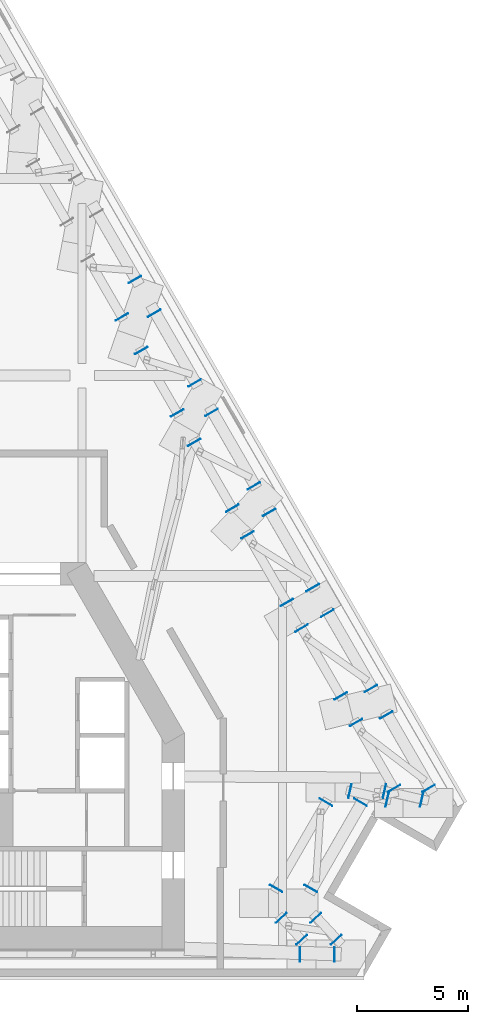
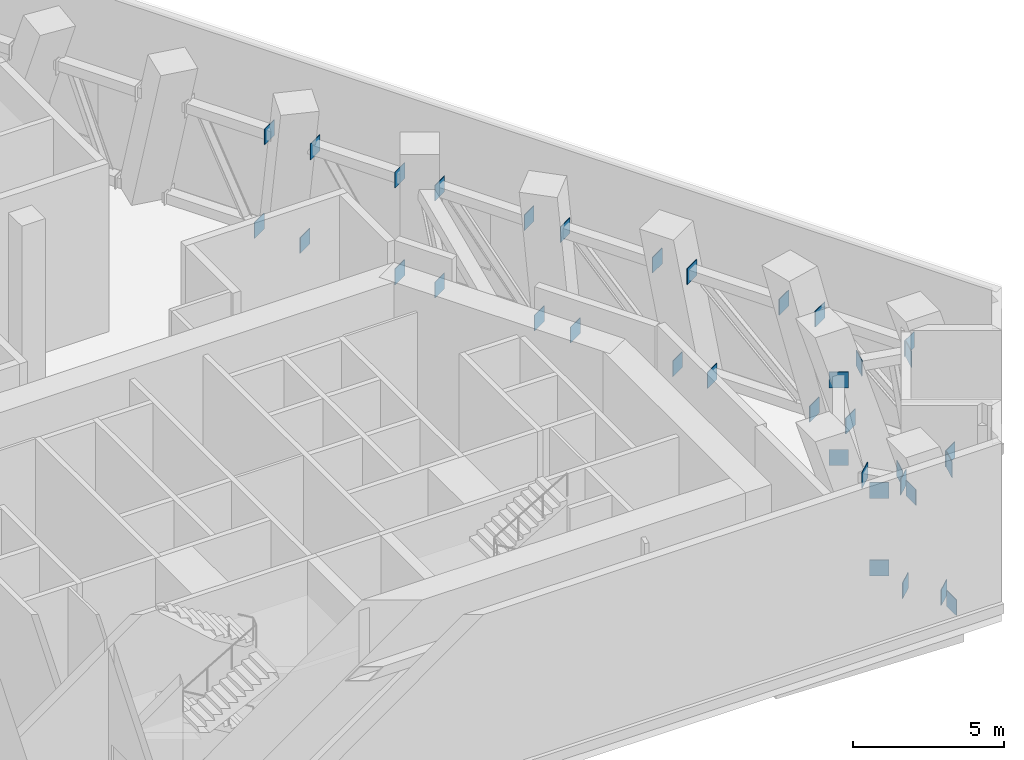
# One storey, part 11 of 13: 36 discrete accessories.
"""IFC4 building model written with IfcOpenShell, lengths in metres."""

import ifcopenshell
import ifcopenshell.guid

model = None  # the IFC model being written
_history = None  # IfcOwnerHistory: only IFC2X3 demands one
_inside = {}  # id of a spatial element -> (the spatial element, [elements in it])
_under = {}  # id of a project, library or spatial element -> (it, [spatial elements below it])
_declared = {}  # id of a project -> (the project, [libraries it declares])
_typed = {}  # id of a type object -> (the type object, [elements of that type])
_made_of = {}  # id of a material, layer set ... -> (it, [elements and type objects made of it])


def new_model(schema):
    """Start an empty IFC model of exactly this schema.

    Asked for "IFC4X3", IfcOpenShell would pick the latest addendum, in which some entities
    have other attributes; the version numbers below select the first issue.
    IFC2X3 requires an IfcOwnerHistory on every rooted entity: one is made here for all.
    """
    global model, _history
    if schema == "IFC4X3":
        model = ifcopenshell.file(schema_version=(4, 3, 0, 0))
    else:
        model = ifcopenshell.file(schema=schema)
    _inside.clear()
    _under.clear()
    _declared.clear()
    _typed.clear()
    _made_of.clear()
    _history = None
    if model.schema == "IFC2X3":
        org = make("IfcOrganization", Name="unknown")
        user = make(
            "IfcPersonAndOrganization",
            ThePerson=make("IfcPerson", FamilyName="unknown"),
            TheOrganization=org,
        )
        app = make(
            "IfcApplication",
            ApplicationDeveloper=org,
            Version="unknown",
            ApplicationFullName="unknown",
            ApplicationIdentifier="unknown",
        )
        _history = make(
            "IfcOwnerHistory",
            OwningUser=user,
            OwningApplication=app,
            ChangeAction="ADDED",
            CreationDate=0,
        )
    return model


def make(cls, **values):
    """One entity of the class cls with the attributes given. An attribute that is None is left unset."""
    return model.create_entity(
        cls, **{name: value for name, value in values.items() if value is not None}
    )


def rooted(cls, **values):
    """An entity with a GlobalId (a new one), such as an element, a storey or a relation."""
    return make(cls, GlobalId=ifcopenshell.guid.new(), OwnerHistory=_history, **values)


def si_unit(unit_type, name, prefix=None):
    """IfcSIUnit, for example si_unit("LENGTHUNIT", "METRE", prefix="MILLI")."""
    return make("IfcSIUnit", UnitType=unit_type, Prefix=prefix, Name=name)


def assignment(units):
    """IfcUnitAssignment: the units of a project."""
    return None if units is None else make("IfcUnitAssignment", Units=units)


def point(xyz):
    """IfcCartesianPoint."""
    return None if xyz is None else make("IfcCartesianPoint", Coordinates=xyz)


def direction(xyz):
    """IfcDirection."""
    return None if xyz is None else make("IfcDirection", DirectionRatios=xyz)


def frame(location, z_axis=None, x_axis=None):
    """IfcAxis2Placement3D, a coordinate frame: its origin and axes. An axis left out is left unset."""
    return make(
        "IfcAxis2Placement3D",
        Location=point(location),
        Axis=direction(z_axis),
        RefDirection=direction(x_axis),
    )


def frame_2d(location, x_axis=None):
    """IfcAxis2Placement2D, a coordinate frame in the plane: its origin and x axis."""
    return make(
        "IfcAxis2Placement2D", Location=point(location), RefDirection=direction(x_axis)
    )


def origin():
    """The frame at (0, 0, 0) with its axes left unset."""
    return frame((0.0, 0.0, 0.0))


def origin_2d():
    """The frame at (0, 0) in the plane with its x axis left unset."""
    return frame_2d((0.0, 0.0))


def place(relative_to, where):
    """IfcLocalPlacement: puts the frame where relative to a parent placement (None: the world)."""
    return make(
        "IfcLocalPlacement", PlacementRelTo=relative_to, RelativePlacement=where
    )


def context(
    kind, dimensions, precision=None, world=None, true_north=None, identifier=None
):
    """IfcGeometricRepresentationContext, for example the 3D "Model" context."""
    return make(
        "IfcGeometricRepresentationContext",
        ContextIdentifier=identifier,
        ContextType=kind,
        CoordinateSpaceDimension=dimensions,
        Precision=precision,
        WorldCoordinateSystem=world,
        TrueNorth=true_north,
    )


def subcontext(parent, identifier, kind, view, scale=None):
    """IfcGeometricRepresentationSubContext, for example "Body" below "Model"."""
    return make(
        "IfcGeometricRepresentationSubContext",
        ContextIdentifier=identifier,
        ContextType=kind,
        ParentContext=parent,
        TargetScale=scale,
        TargetView=view,
    )


def project(units=None, contexts=None):
    """IfcProject with its units and contexts."""
    return rooted(
        "IfcProject",
        Name="project",
        RepresentationContexts=contexts,
        UnitsInContext=assignment(units),
    )


def spatial(cls, under=None, at=None, **own):
    """A site, building, storey or space (cls), placed at a placement, below another one or the project."""
    s = rooted(cls, ObjectPlacement=at, **own)
    if under is not None:
        _under.setdefault(under.id(), (under, []))[1].append(s)
    return s


def profile(cls, at=None, kind="AREA", **sizes):
    """A parametric profile (cls). Its sizes go by their IFC names, for example OverallWidth=200.0."""
    return make(cls, ProfileType=kind, Position=at, **sizes)


def rectangle(**sizes):
    """IfcRectangleProfileDef."""
    return profile("IfcRectangleProfileDef", **sizes)


def extrude(swept, where, along, depth):
    """IfcExtrudedAreaSolid: the profile swept, set in the frame where, extruded along a direction by depth."""
    return make(
        "IfcExtrudedAreaSolid",
        SweptArea=swept,
        Position=where,
        ExtrudedDirection=direction(along),
        Depth=depth,
    )


def shape(context_of_items, identifier, shape_type, items):
    """IfcShapeRepresentation: the items that make up one representation, for example the "Body"."""
    return make(
        "IfcShapeRepresentation",
        ContextOfItems=context_of_items,
        RepresentationIdentifier=identifier,
        RepresentationType=shape_type,
        Items=items,
    )


def material(Name=None, Category=None):
    """IfcMaterial."""
    return make("IfcMaterial", Name=Name, Category=Category)


def layer(
    of_material, thickness, ventilated=None, Name=None, Category=None, Priority=None
):
    """IfcMaterialLayer: one layer of a wall or slab, of a material (None: an air gap)."""
    return make(
        "IfcMaterialLayer",
        Material=of_material,
        LayerThickness=thickness,
        IsVentilated=ventilated,
        Name=Name,
        Category=Category,
        Priority=Priority,
    )


def layer_set(layers, Name=None):
    """IfcMaterialLayerSet."""
    return make("IfcMaterialLayerSet", MaterialLayers=layers, LayerSetName=Name)


def made_of(thing, what):
    """Note that an element or type object is made of a material, layer set ...; save() writes the relation."""
    if what is not None:
        _made_of.setdefault(what.id(), (what, []))[1].append(thing)
    return thing


def type_object(cls, material=None, **own):
    """A type object (cls), such as IfcWallType, which elements share."""
    return made_of(rooted(cls, **own), material)


def element(
    cls,
    number,
    at=None,
    inside=None,
    cuts=None,
    type_object=None,
    material=None,
    context=None,
    identifier="Body",
    shape_type=None,
    held_by="IfcProductDefinitionShape",
    body=None,
    shapes=None,
    **own,
):
    """One element of the class cls, such as IfcWall. Its Tag is "e" and its number.

    at: its placement. inside: the storey or other place that contains it. cuts: it is an
    opening in that element (IfcRelVoidsElement). A single representation is given by context,
    identifier, shape_type and body (its items); several are given by shapes. held_by: the class
    of the entity that holds the representations. save() writes the other relations.
    """
    e = rooted(cls, Tag="e%d" % number, ObjectPlacement=at, **own)
    if body is not None:
        shapes = [shape(context, identifier, shape_type, body)]
    if shapes is not None:
        e.Representation = make(held_by, Representations=shapes)
    if inside is not None:
        _inside.setdefault(inside.id(), (inside, []))[1].append(e)
    if cuts is not None:
        rooted(
            "IfcRelVoidsElement", RelatingBuildingElement=cuts, RelatedOpeningElement=e
        )
    if type_object is not None:
        _typed.setdefault(type_object.id(), (type_object, []))[1].append(e)
    return made_of(e, material)


def aggregate(whole, parts):
    """IfcRelAggregates: a whole, such as a stair, and the parts it consists of."""
    return rooted("IfcRelAggregates", RelatingObject=whole, RelatedObjects=parts)


def save(model, path):
    """Write the relations noted so far, then the file.

    IfcRelAggregates (storeys below a building ...), IfcRelContainedInSpatialStructure (elements
    in a storey), IfcRelDefinesByType, IfcRelAssociatesMaterial and IfcRelDeclares: one each for
    every whole, place, type object, material and project.
    """
    for whole, parts in _under.values():
        aggregate(whole, parts)
    for where, things in _inside.values():
        rooted(
            "IfcRelContainedInSpatialStructure",
            RelatedElements=things,
            RelatingStructure=where,
        )
    for kind, things in _typed.values():
        rooted("IfcRelDefinesByType", RelatedObjects=things, RelatingType=kind)
    for what, things in _made_of.values():
        rooted("IfcRelAssociatesMaterial", RelatedObjects=things, RelatingMaterial=what)
    for by, libraries in _declared.values():
        rooted("IfcRelDeclares", RelatingContext=by, RelatedDefinitions=libraries)
    model.write(path)


model = new_model("IFC4")

# Units and contexts
model_context = context("Model", 3, precision=1e-05, world=origin(), true_north=direction((0.0, 1.0)))
body_context = subcontext(model_context, "Body", "Model", "MODEL_VIEW")
ifc_project = project(units=[si_unit("LENGTHUNIT", "METRE"), si_unit("AREAUNIT", "SQUARE_METRE"), si_unit("VOLUMEUNIT", "CUBIC_METRE"), si_unit("PLANEANGLEUNIT", "RADIAN"), si_unit("MASSUNIT", "GRAM", prefix="KILO")], contexts=[model_context])

# Site, building, storey
site_placement = place(None, origin())
site = spatial("IfcSite", under=ifc_project, at=site_placement, CompositionType="ELEMENT")
building_placement = place(site_placement, origin())
building = spatial("IfcBuilding", under=site, at=building_placement, Name="Fogline Exchange Tower", CompositionType="ELEMENT")
storey_placement = place(building_placement, frame((0.0, 0.0, 259.5)))
storey = spatial("IfcBuildingStorey", under=building, at=storey_placement, Name="L59", CompositionType="ELEMENT", Elevation=259.5)

# Discrete accessories
ifc_material = material(Name="Steel Q355B", Category="steel")
ifc_layer = layer(ifc_material, 0.02490234375)
ifc_layer_set = layer_set([ifc_layer], Name="BE03")
discrete_accessory_type = type_object("IfcDiscreteAccessoryType", Name="BE03", PredefinedType="USERDEFINED", material=ifc_layer_set)
for number, where, z_axis, x_axis, name in (
    (1, (20.3369140625, 1.0, -0.1201171875), (0.0, 0.0, 1.0), (1.0, 0.0, 0.0), "Belt truss chord end plate BT4-1-BC"),
    (2, (18.78515625, 1.0, 4.8798828125), (0.0, 0.0, 1.0), (1.0, 0.0, 0.0), "Belt truss chord end plate BT4-1-TC"),
    (3, (20.417236328125, 1.6591796875, -0.1201171875), (0.0, 0.0, 1.0), (0.68078095751, -0.732487056467, 0.0), "Belt truss chord end plate BT5-1-BC"),
    (4, (19.505859375, 2.639892578125, -0.1201171875), (0.0, 0.0, 1.0), (-0.68078095751, 0.732487056467, 0.0), "Belt truss chord end plate BT5-1-BC"),
    (5, (18.86572265625, 1.6591796875, 4.8798828125), (0.0, 0.0, 1.0), (0.68078095751, -0.732487056467, 0.0), "Belt truss chord end plate BT5-1-TC"),
    (6, (17.9541015625, 2.639892578125, 4.8798828125), (0.0, 0.0, 1.0), (-0.68078095751, 0.732487056467, 0.0), "Belt truss chord end plate BT5-1-TC"),
    (7, (19.274658203125, 3.9599609375, -0.1201171875), (0.0, 0.0, 1.0), (-0.5, -0.866025403784, 0.0), "Belt truss chord end plate BT6-1-BC"),
    (8, (21.51171875, 7.83447265625, -0.1201171875), (0.0, 0.0, 1.0), (0.5, 0.866025403784, 0.0), "Belt truss chord end plate BT6-1-BC"),
    (9, (17.72314453125, 3.9599609375, 4.8798828125), (0.0, 0.0, 1.0), (-0.5, -0.866025403784, 0.0), "Belt truss chord end plate BT6-1-TC"),
    (10, (19.9599609375, 7.83447265625, 4.8798828125), (0.0, 0.0, 1.0), (0.5, 0.866025403784, 0.0), "Belt truss chord end plate BT6-1-TC"),
    (11, (22.5859375, 8.33642578125, -0.1201171875), (0.0, 0.0, 1.0), (-0.974742877599, 0.223330075383, 0.0), "Belt truss chord end plate BT7-1-BC"),
    (12, (24.259765625, 7.952880859375, -0.1201171875), (0.0, 0.0, 1.0), (0.974742877599, -0.223330075383, 0.0), "Belt truss chord end plate BT7-1-BC"),
    (13, (21.0341796875, 8.33642578125, 4.8798828125), (0.0, 0.0, 1.0), (-0.974742877599, 0.223330075383, 0.0), "Belt truss chord end plate BT7-1-TC"),
    (14, (22.708251953125, 7.952880859375, 4.8798828125), (0.0, 0.0, 1.0), (0.974742877599, -0.223330075383, 0.0), "Belt truss chord end plate BT7-1-TC"),
    (15, (24.571044921875, 8.455078125, -0.1201171875), (0.0, 0.0, 1.0), (0.5, -0.866025403784, 0.0), "Belt truss chord end plate BT8-1-BC"),
    (16, (22.66845703125, 11.75048828125, -0.1201171875), (0.0, 0.0, 1.0), (-0.5, 0.866025403784, 0.0), "Belt truss chord end plate BT8-1-BC"),
    (17, (23.019287109375, 8.455078125, 4.8798828125), (0.0, 0.0, 1.0), (0.5, -0.866025403784, 0.0), "Belt truss chord end plate BT8-1-TC"),
    (18, (21.310791015625, 11.414794921875, 4.8798828125), (0.0, 0.0, 1.0), (-0.5, 0.866025403784, 0.0), "Belt truss chord end plate BT8-1-TC"),
    (19, (21.979248046875, 12.944091796875, -0.1201171875), (0.0, 0.0, 1.0), (0.5, -0.866025403784, 0.0), "Belt truss chord end plate BT9-1-BC"),
    (20, (20.0263671875, 16.32666015625, -0.1201171875), (0.0, 0.0, 1.0), (-0.5, 0.866025403784, 0.0), "Belt truss chord end plate BT9-1-BC"),
    (21, (20.62158203125, 12.608154296875, 4.8798828125), (0.0, 0.0, 1.0), (0.5, -0.866025403784, 0.0), "Belt truss chord end plate BT9-1-TC"),
    (22, (18.862548828125, 15.65478515625, 4.8798828125), (0.0, 0.0, 1.0), (-0.5, 0.866025403784, 0.0), "Belt truss chord end plate BT9-1-TC"),
    (23, (19.364013671875, 17.47412109375, -0.1201171875), (0.0, 0.0, 1.0), (0.5, -0.866025403784, 0.0), "Belt truss chord end plate BT10-1-BC"),
    (24, (17.410888671875, 20.856689453125, -0.1201171875), (0.0, 0.0, 1.0), (-0.5, 0.866025403784, 0.0), "Belt truss chord end plate BT10-1-BC"),
    (25, (18.2001953125, 16.80224609375, 4.8798828125), (0.0, 0.0, 1.0), (0.5, -0.866025403784, 0.0), "Belt truss chord end plate BT10-1-TC"),
    (26, (16.441162109375, 19.84912109375, 4.8798828125), (0.0, 0.0, 1.0), (-0.5, 0.866025403784, 0.0), "Belt truss chord end plate BT10-1-TC"),
    (27, (16.7216796875, 22.05029296875, -0.1201171875), (0.0, 0.0, 1.0), (0.5, -0.866025403784, 0.0), "Belt truss chord end plate BT11-1-BC"),
    (28, (14.819091796875, 25.345947265625, -0.1201171875), (0.0, 0.0, 1.0), (-0.5, 0.866025403784, 0.0), "Belt truss chord end plate BT11-1-BC"),
    (29, (15.752197265625, 21.04248046875, 4.8798828125), (0.0, 0.0, 1.0), (0.5, -0.866025403784, 0.0), "Belt truss chord end plate BT11-1-TC"),
    (30, (14.043212890625, 24.002197265625, 4.8798828125), (0.0, 0.0, 1.0), (-0.5, 0.866025403784, 0.0), "Belt truss chord end plate BT11-1-TC"),
    (31, (14.05615234375, 26.66748046875, -0.1201171875), (0.0, 0.0, 1.0), (0.5, -0.866025403784, 0.0), "Belt truss chord end plate BT12-1-BC"),
    (32, (12.2451171875, 29.80419921875, -0.1201171875), (0.0, 0.0, 1.0), (-0.5, 0.866025403784, 0.0), "Belt truss chord end plate BT12-1-BC"),
    (33, (13.2802734375, 25.32373046875, 4.8798828125), (0.0, 0.0, 1.0), (0.5, -0.866025403784, 0.0), "Belt truss chord end plate BT12-1-TC"),
    (34, (11.6630859375, 28.12451171875, 4.8798828125), (0.0, 0.0, 1.0), (-0.5, 0.866025403784, 0.0), "Belt truss chord end plate BT12-1-TC"),
    (35, (11.372802734375, 31.315185546875, -0.1201171875), (0.0, 0.0, 1.0), (0.5, -0.866025403784, 0.0), "Belt truss chord end plate BT13-1-BC"),
    (36, (10.790771484375, 29.635498046875, 4.8798828125), (0.0, 0.0, 1.0), (0.5, -0.866025403784, 0.0), "Belt truss chord end plate BT13-1-TC"),
):
    element("IfcDiscreteAccessory", number, at=place(storey_placement, frame(where, z_axis=z_axis, x_axis=x_axis)), inside=storey, type_object=discrete_accessory_type, Name=name, ObjectType="END PLATE", PredefinedType="USERDEFINED", context=body_context, shape_type="SweptSolid", body=[
        extrude(rectangle(XDim=0.02490234375, YDim=0.639892578125, at=origin_2d()), origin(), (0.0, 0.0, 1.0), 0.639892578125),
    ])

save(model, "model.ifc")
